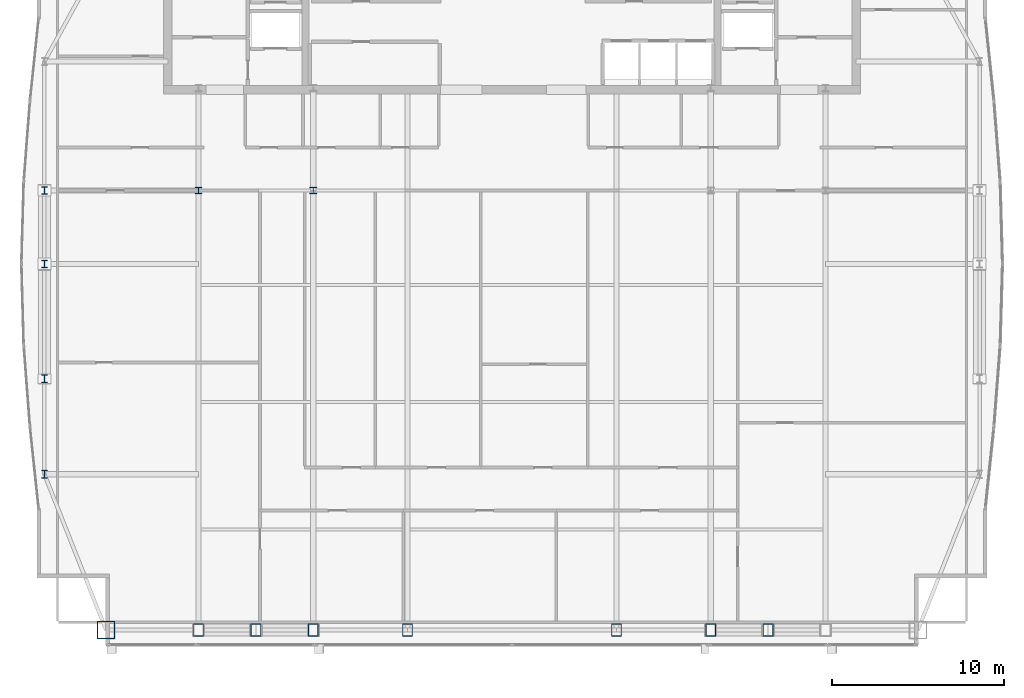
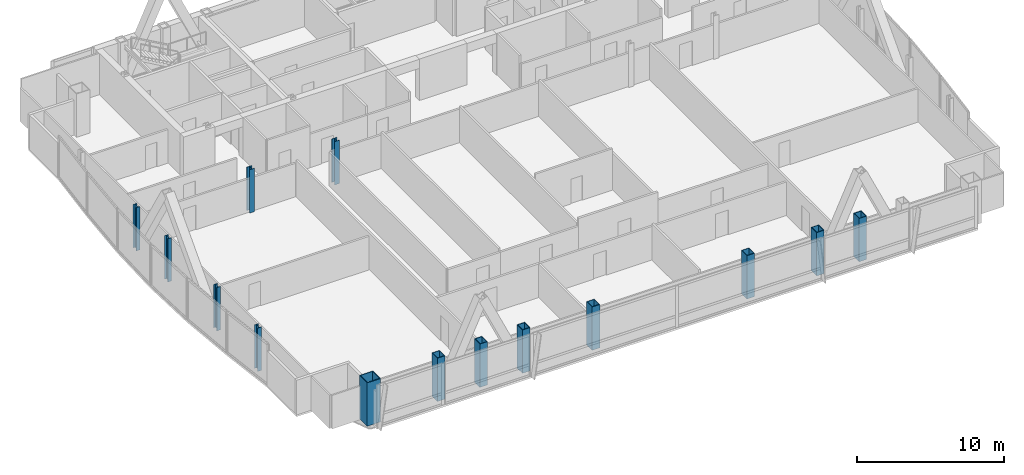
# One storey, part 1 of 30: 14 columns.
"""IFC4 building model written with IfcOpenShell, lengths in metres."""

from ifc_helpers import new_model, si_unit, direction, frame, origin, origin_2d, place, context, subcontext, project, spatial, hollow_rectangle, i_section, extrude, material, material_profile, profile_set, type_object, element, save


model = new_model("IFC4")

# Units and contexts
model_context = context("Model", 3, precision=1e-05, world=origin(), true_north=direction((0.0, 1.0)))
body_context = subcontext(model_context, "Body", "Model", "MODEL_VIEW")
ifc_project = project(units=[si_unit("LENGTHUNIT", "METRE"), si_unit("AREAUNIT", "SQUARE_METRE"), si_unit("VOLUMEUNIT", "CUBIC_METRE"), si_unit("PLANEANGLEUNIT", "RADIAN"), si_unit("MASSUNIT", "GRAM", prefix="KILO")], contexts=[model_context])

# Site, building, storey
site_placement = place(None, origin())
site = spatial("IfcSite", under=ifc_project, at=site_placement, CompositionType="ELEMENT")
building_placement = place(site_placement, origin())
building = spatial("IfcBuilding", under=site, at=building_placement, Name="Khoronbel Lancet Exchange", CompositionType="ELEMENT")
storey_placement = place(building_placement, frame((0.0, 0.0, 284.199951171875)))
storey = spatial("IfcBuildingStorey", under=building, at=storey_placement, Name="L73", CompositionType="ELEMENT", Elevation=284.199951171875)

# Columns
ifc_material_1 = material(Name="Steel S460", Category="steel")
ifc_material_profile_1 = material_profile(ifc_material_1, hollow_rectangle(XDim=0.60009765625, YDim=0.75, WallThickness=0.044921875, at=origin_2d()), Name="BOX 750x600x45")
ifc_profile_set_1 = profile_set([ifc_material_profile_1], Name="Steel S460")
column_type_1 = type_object("IfcColumnType", Name="COL-EC3", PredefinedType="COLUMN", material=ifc_profile_set_1)
for number, where, z_axis, x_axis, name in (
    (1, (18.22509765625, 10.14990234375, 0.0), (0.0, 0.0, 1.0), (1.0, 0.0, 0.0), "Structural column SC-W1 L73"),
    (2, (21.5625, 10.14990234375, 0.0), (0.0, 0.0, 1.0), (1.0, 0.0, 0.0), "Structural column SC-WM L73"),
    (3, (24.89990234375, 10.14990234375, 0.0), (0.0, 0.0, 1.0), (1.0, 0.0, 0.0), "Structural column SC-W2 L73"),
    (4, (30.375, 10.14990234375, 0.0), (0.0, 0.0, 1.0), (1.0, 0.0, 0.0), "Structural column SC-C1 L73"),
    (5, (42.52490234375, 10.14990234375, 0.0), (0.0, 0.0, 1.0), (1.0, 0.0, 0.0), "Structural column SC-C2 L73"),
    (6, (48.0, 10.14990234375, 0.0), (0.0, 0.0, 1.0), (1.0, 0.0, 0.0), "Structural column SC-E1 L73"),
    (7, (51.33740234375, 10.14990234375, 0.0), (0.0, 0.0, 1.0), (1.0, 0.0, 0.0), "Structural column SC-EM L73"),
):
    element("IfcColumn", number, at=place(storey_placement, frame(where, z_axis=z_axis, x_axis=x_axis)), inside=storey, type_object=column_type_1, Name=name, PredefinedType="COLUMN", context=body_context, shape_type="SweptSolid", body=[
        extrude(hollow_rectangle(XDim=0.60009765625, YDim=0.75, WallThickness=0.044921875, at=origin_2d()), origin(), (0.0, 0.0, 1.0), 3.60009765625),
    ])
ifc_material_2 = material(Name="Steel S355", Category="steel")
ifc_material_profile_2 = material_profile(ifc_material_2, i_section(OverallWidth=0.39892578125, OverallDepth=0.39306640625, WebThickness=0.022705078125, FlangeThickness=0.03662109375, at=origin_2d()), Name="HD 400x287")
ifc_profile_set_2 = profile_set([ifc_material_profile_2], Name="Steel S355")
column_type_2 = type_object("IfcColumnType", Name="COL-IC4", PredefinedType="COLUMN", material=ifc_profile_set_2)
for number, where, z_axis, x_axis, name in (
    (8, (18.22509765625, 35.699951171875, 0.0), (0.0, 0.0, 1.0), (1.0, 0.0, 0.0), "Spine gravity column TC1 L73"),
    (9, (24.89990234375, 35.699951171875, 0.0), (0.0, 0.0, 1.0), (1.0, 0.0, 0.0), "Spine gravity column TC2 L73"),
):
    element("IfcColumn", number, at=place(storey_placement, frame(where, z_axis=z_axis, x_axis=x_axis)), inside=storey, type_object=column_type_2, Name=name, PredefinedType="COLUMN", context=body_context, shape_type="SweptSolid", body=[
        extrude(i_section(OverallWidth=0.39892578125, OverallDepth=0.39306640625, WebThickness=0.022705078125, FlangeThickness=0.03662109375, at=origin_2d()), origin(), (0.0, 0.0, 1.0), 3.60009765625),
    ])
ifc_material_profile_3 = material_profile(ifc_material_2, i_section(OverallWidth=0.300048828125, OverallDepth=0.449951171875, WebThickness=0.013916015625, FlangeThickness=0.02587890625, at=origin_2d()), Name="HEB 450")
ifc_profile_set_3 = profile_set([ifc_material_profile_3], Name="Steel S355")
column_type_3 = type_object("IfcColumnType", Name="COL-LC2", PredefinedType="COLUMN", material=ifc_profile_set_3)
for number, where, z_axis, x_axis, name in (
    (10, (9.27001953125, 19.199951171875, 0.0), (0.0, 0.0, 1.0), (1.0, 0.0, 0.0), "Structural column WC-1 L73"),
    (11, (9.27001953125, 24.75, 0.0), (0.0, 0.0, 1.0), (1.0, 0.0, 0.0), "Structural column WC-2 L73"),
    (12, (9.27001953125, 31.425048828125, 0.0), (0.0, 0.0, 1.0), (1.0, 0.0, 0.0), "Structural column WC-M L73"),
    (13, (9.27001953125, 35.699951171875, 0.0), (0.0, 0.0, 1.0), (1.0, 0.0, 0.0), "Structural column WC-3 L73"),
):
    element("IfcColumn", number, at=place(storey_placement, frame(where, z_axis=z_axis, x_axis=x_axis)), inside=storey, type_object=column_type_3, Name=name, PredefinedType="COLUMN", context=body_context, shape_type="SweptSolid", body=[
        extrude(i_section(OverallWidth=0.300048828125, OverallDepth=0.449951171875, WebThickness=0.013916015625, FlangeThickness=0.02587890625, at=origin_2d()), origin(), (0.0, 0.0, 1.0), 3.60009765625),
    ])
ifc_material_profile_4 = material_profile(ifc_material_1, hollow_rectangle(XDim=1.050048828125, YDim=1.050048828125, WallThickness=0.054931640625, at=origin_2d()), Name="BOX 1050x1050x55")
ifc_profile_set_4 = profile_set([ifc_material_profile_4], Name="Steel S460")
column_type_4 = type_object("IfcColumnType", Name="COL-MC6", PredefinedType="COLUMN", material=ifc_profile_set_4)
column_placement = place(storey_placement, frame((12.85009765625, 10.14990234375, 0.0), z_axis=(0.0, 0.0, 1.0), x_axis=(1.0, 0.0, 0.0)))
element("IfcColumn", 14, at=column_placement, inside=storey, type_object=column_type_4, Name="Structural column MC-SW L73", PredefinedType="COLUMN", context=body_context, shape_type="SweptSolid", body=[
    extrude(hollow_rectangle(XDim=1.050048828125, YDim=1.050048828125, WallThickness=0.054931640625, at=origin_2d()), origin(), (0.0, 0.0, 1.0), 3.60009765625),
])

save(model, "model.ifc")
